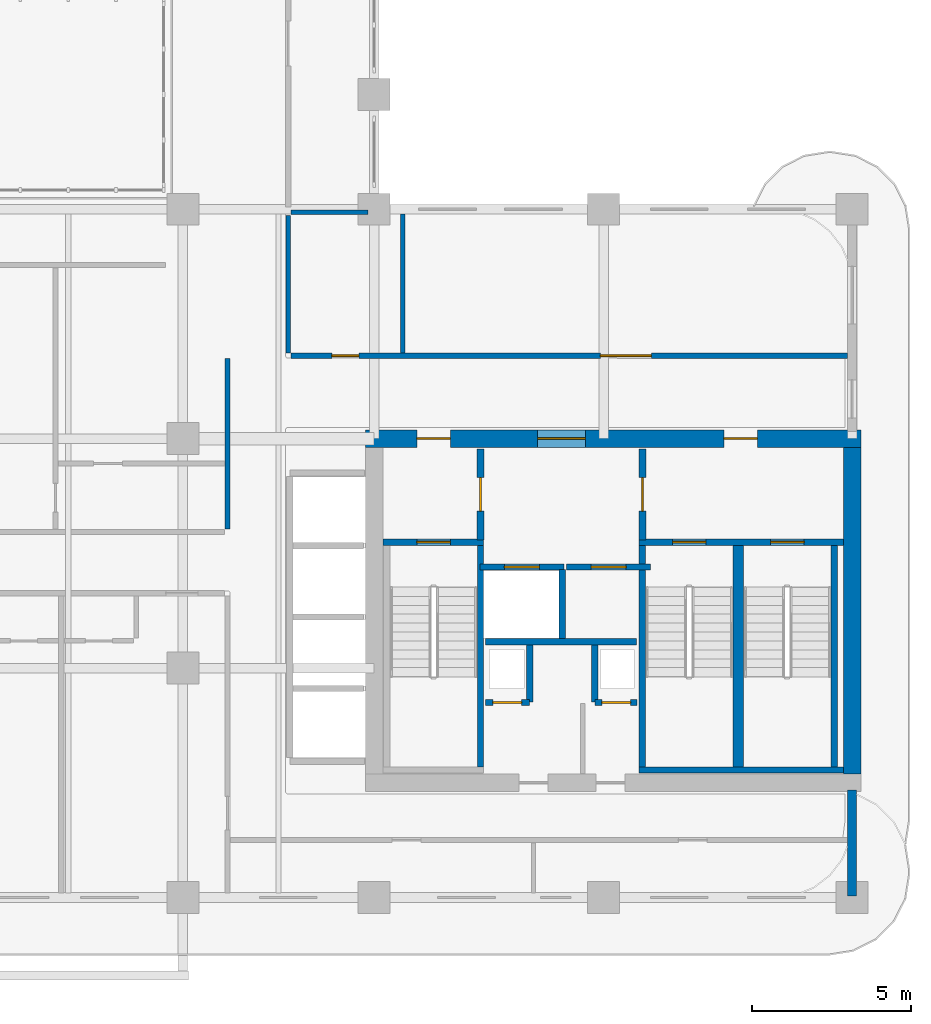
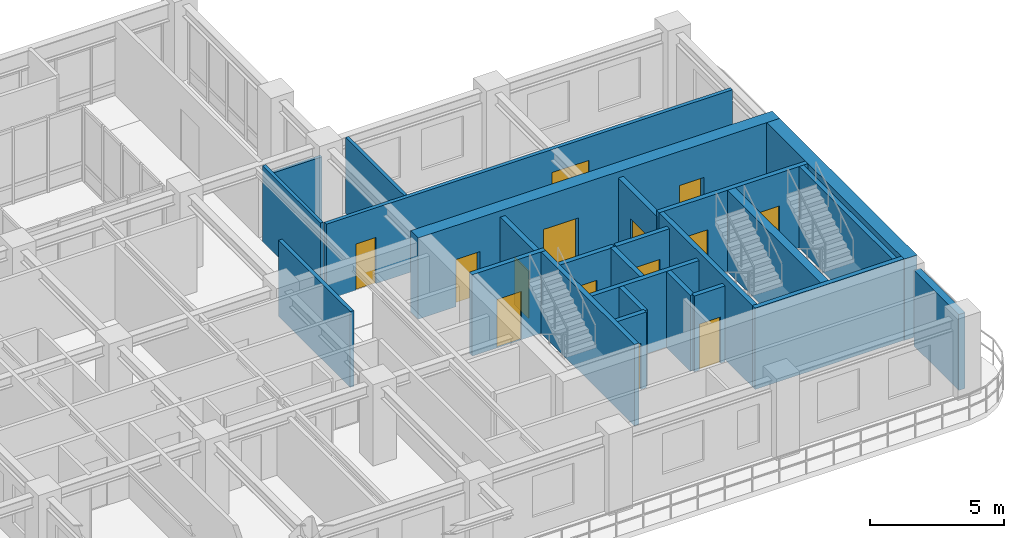
# One storey, part 13 of 19: 25 walls, 14 doors, 14 openings.
"""IFC4 building model written with IfcOpenShell, lengths in metres."""

from ifc_helpers import new_model, si_unit, derived_unit, direction, frame, frame_2d, origin, place, context, subcontext, project, spatial, rectangle, extrude, source, transform, mapped, material, layer, layer_set, type_object, type_shapes, element, fill, save


model = new_model("IFC4")

# Units and contexts
model_context = context("Model", 3, precision=1e-05, world=origin(), true_north=direction((0.0, 1.0)))
body_context = subcontext(model_context, "Body", "Model", "MODEL_VIEW")
ifc_project = project(units=[si_unit("LENGTHUNIT", "METRE"), si_unit("AREAUNIT", "SQUARE_METRE"), si_unit("VOLUMEUNIT", "CUBIC_METRE"), si_unit("PLANEANGLEUNIT", "RADIAN"), si_unit("MASSUNIT", "GRAM", prefix="KILO"), si_unit("THERMODYNAMICTEMPERATUREUNIT", "KELVIN"), si_unit("POWERUNIT", "WATT"), derived_unit("THERMALTRANSMITTANCEUNIT", [(si_unit("POWERUNIT", "WATT"), 1), (si_unit("AREAUNIT", "SQUARE_METRE"), -1), (si_unit("THERMODYNAMICTEMPERATUREUNIT", "KELVIN"), -1)])], contexts=[model_context])

# Site, building, storey
site_placement = place(None, origin())
site = spatial("IfcSite", under=ifc_project, at=site_placement, CompositionType="ELEMENT")
building_placement = place(site_placement, origin())
building = spatial("IfcBuilding", under=site, at=building_placement, Name="Zahravan Archway Hotel and Residences", CompositionType="ELEMENT")
storey_placement = place(building_placement, frame((0.0, 0.0, 134.0)))
storey = spatial("IfcBuildingStorey", under=building, at=storey_placement, Name="L33", CompositionType="ELEMENT", Elevation=134.0)

# Wall, openings, doors
ifc_material_1 = material(Name="Concrete C70/85", Category="concrete")
ifc_layer_1 = layer(ifc_material_1, 0.550048828125, Name="Concrete C70/85", Category="concrete")
ifc_layer_set_1 = layer_set([ifc_layer_1], Name="Concrete C70/85")
wall_type_1 = type_object("IfcWallType", Name="CW-CORE-550", PredefinedType="SHEAR", material=ifc_layer_set_1)
wall_1_placement = place(storey_placement, frame((34.52490234375, 14.39990234375, 0.0), z_axis=(0.0, 0.0, 1.0), x_axis=(1.0, 0.0, 0.0)))
wall_1 = element("IfcWall", 1, at=wall_1_placement, inside=storey, type_object=wall_type_1, Name="L33 Core A Shear N Wall 550 mm", PredefinedType="SHEAR", context=body_context, shape_type="SweptSolid", body=[
    extrude(rectangle(XDim=15.550048828125, YDim=0.550048828125, at=frame_2d((7.77490234375, 0.0))), origin(), (0.0, 0.0, 1.0), 3.699951171875),
])
opening_1_placement = place(wall_1_placement, frame((5.405029296875, 0.0, 0.0)))
opening_1 = element("IfcOpeningElement", 2, at=opening_1_placement, cuts=wall_1, Name="Opening FD-L1", PredefinedType="OPENING", context=body_context, shape_type="SweptSolid", body=[
    extrude(rectangle(XDim=1.5, YDim=2.199951171875, at=frame_2d((0.75, 1.10009765625))), frame((0.0, 0.28515625, 0.0), z_axis=(0.0, -1.0, 0.0), x_axis=(1.0, 0.0, 0.0)), (0.0, 0.0, 1.0), 0.570068359375),
])
opening_2_placement = place(wall_1_placement, frame((1.6201171875, 0.0, 0.0)))
opening_2 = element("IfcOpeningElement", 3, at=opening_2_placement, cuts=wall_1, Name="Opening FD-L2", PredefinedType="OPENING", context=body_context, shape_type="SweptSolid", body=[
    extrude(rectangle(XDim=1.050048828125, YDim=2.14990234375, at=frame_2d((0.52490234375, 1.074951171875))), frame((0.0, 0.28515625, 0.0), z_axis=(0.0, -1.0, 0.0), x_axis=(1.0, 0.0, 0.0)), (0.0, 0.0, 1.0), 0.570068359375),
])
opening_3_placement = place(wall_1_placement, frame((11.25, 0.0, 0.0)))
opening_3 = element("IfcOpeningElement", 4, at=opening_3_placement, cuts=wall_1, Name="Opening FD-L2", PredefinedType="OPENING", context=body_context, shape_type="SweptSolid", body=[
    extrude(rectangle(XDim=1.050048828125, YDim=2.14990234375, at=frame_2d((0.52490234375, 1.074951171875))), frame((0.0, 0.28515625, 0.0), z_axis=(0.0, -1.0, 0.0), x_axis=(1.0, 0.0, 0.0)), (0.0, 0.0, 1.0), 0.570068359375),
])
ifc_material_2 = material(Name="Fire-Rated Painted Steel", Category="steel")
door_type_1 = type_object("IfcDoorType", Name="FD-LOBBY-1100", OperationType="NOTDEFINED", PredefinedType="DOOR", material=ifc_material_2)
shared_shape_1 = source(origin(), body_context, "Body", "SweptSolid", [
    extrude(rectangle(XDim=1.050048828125, YDim=2.14990234375, at=frame_2d((0.52490234375, 1.074951171875))), frame((0.0, 0.02490234375, 0.0), z_axis=(0.0, -1.0, 0.0), x_axis=(1.0, 0.0, 0.0)), (0.0, 0.0, 1.0), 0.050048828125),
])
type_shapes(door_type_1, [shared_shape_1])
door_1_placement = place(opening_2_placement, origin())
door_1 = element("IfcDoor", 5, at=door_1_placement, inside=storey, type_object=door_type_1, Name="L33 Core A West Stair Lobby Door", OperationType="SINGLE_SWING_RIGHT", OverallHeight=2.14990234375, OverallWidth=1.050048828125, PredefinedType="DOOR", context=body_context, shape_type="MappedRepresentation", body=[
    mapped(shared_shape_1, transform((0.0, 0.0, 0.0), scale=1.0)),
])
fill(opening_2, door_1)
door_2_placement = place(opening_3_placement, origin())
door_2 = element("IfcDoor", 6, at=door_2_placement, inside=storey, type_object=door_type_1, Name="L33 Core A East Stair Lobby Door", OperationType="SINGLE_SWING_LEFT", OverallHeight=2.14990234375, OverallWidth=1.050048828125, PredefinedType="DOOR", context=body_context, shape_type="MappedRepresentation", body=[
    mapped(shared_shape_1, transform((0.0, 0.0, 0.0), scale=1.0)),
])
fill(opening_3, door_2)
door_type_2 = type_object("IfcDoorType", Name="FD-LOBBY-1500", OperationType="DOUBLE_DOOR_SINGLE_SWING", PredefinedType="DOOR", material=ifc_material_2)
shared_shape_2 = source(origin(), body_context, "Body", "SweptSolid", [
    extrude(rectangle(XDim=1.5, YDim=2.199951171875, at=frame_2d((0.75, 1.10009765625))), frame((0.0, 0.02490234375, 0.0), z_axis=(0.0, -1.0, 0.0), x_axis=(1.0, 0.0, 0.0)), (0.0, 0.0, 1.0), 0.050048828125),
])
type_shapes(door_type_2, [shared_shape_2])
door_3_placement = place(opening_1_placement, origin())
door_3 = element("IfcDoor", 7, at=door_3_placement, inside=storey, type_object=door_type_2, Name="L33 Core A FSAE Lobby Main Door", OperationType="DOUBLE_DOOR_SINGLE_SWING", OverallHeight=2.199951171875, OverallWidth=1.5, PredefinedType="DOOR", context=body_context, shape_type="MappedRepresentation", body=[
    mapped(shared_shape_2, transform((0.0, 0.0, 0.0), scale=1.0)),
])
fill(opening_1, door_3)

# Walls
wall_2_placement = place(storey_placement, frame((49.800048828125, 3.875, 0.0), z_axis=(0.0, 0.0, 1.0), x_axis=(0.0, 1.0, 0.0)))
element("IfcWall", 8, at=wall_2_placement, inside=storey, type_object=wall_type_1, Name="L33 Core A Shear E Wall 550 mm", PredefinedType="SHEAR", context=body_context, shape_type="SweptSolid", body=[
    extrude(rectangle(XDim=10.25, YDim=0.550048828125, at=frame_2d((5.125, 0.0))), origin(), (0.0, 0.0, 1.0), 3.699951171875),
])
ifc_material_3 = material(Name="Honed Red-Ochre Sandstone & Insulated Block", Category="masonry")
ifc_layer_2 = layer(ifc_material_3, 0.280029296875, Name="Honed Red-Ochre Sandstone & Insulated Block", Category="masonry")
ifc_layer_set_2 = layer_set([ifc_layer_2], Name="Honed Red-Ochre Sandstone & Insulated Block")
wall_type_2 = type_object("IfcWallType", Name="EW-LOG-280", PredefinedType="SOLIDWALL", material=ifc_layer_set_2)
wall_3_placement = place(storey_placement, frame((49.800048828125, 0.050048828125, 0.0), z_axis=(0.0, 0.0, 1.0), x_axis=(0.0, 1.0, 0.0)))
element("IfcWall", 9, at=wall_3_placement, inside=storey, type_object=wall_type_2, Name="L33 Exterior Sandstone Wall WA-ES", PredefinedType="SOLIDWALL", context=body_context, shape_type="SweptSolid", body=[
    extrude(rectangle(XDim=3.329833984375, YDim=0.280029296875, at=frame_2d((1.6650390625, 0.0))), origin(), (0.0, 0.0, 1.0), 3.449951171875),
])

# Wall, opening, door
ifc_material_4 = material(Name="Fire-Rated Gypsum & Concrete Block", Category="concrete")
ifc_layer_3 = layer(ifc_material_4, 0.219970703125, Name="Fire-Rated Gypsum & Concrete Block", Category="concrete")
ifc_layer_set_3 = layer_set([ifc_layer_3], Name="Fire-Rated Gypsum & Concrete Block")
wall_type_3 = type_object("IfcWallType", Name="PW-COMP-220", PredefinedType="PARTITIONING", material=ifc_layer_set_3)
wall_4_placement = place(storey_placement, frame((38.139892578125, 11.219970703125, 0.0), z_axis=(0.0, 0.0, 1.0), x_axis=(0.0, 1.0, 0.0)))
wall_4 = element("IfcWall", 10, at=wall_4_placement, inside=storey, type_object=wall_type_3, Name="L33 Partition CA-LOBW", PredefinedType="PARTITIONING", context=body_context, shape_type="SweptSolid", body=[
    extrude(rectangle(XDim=2.860107421875, YDim=0.219970703125, at=frame_2d((1.43017578125, 0.0))), origin(), (0.0, 0.0, 1.0), 3.449951171875),
])
opening_4_placement = place(wall_4_placement, frame((0.905029296875, 0.0, 0.0)))
opening_4 = element("IfcOpeningElement", 11, at=opening_4_placement, cuts=wall_4, Name="Opening FD-L2", PredefinedType="OPENING", context=body_context, shape_type="SweptSolid", body=[
    extrude(rectangle(XDim=1.050048828125, YDim=2.14990234375, at=frame_2d((0.52490234375, 1.074951171875))), frame((0.0, 0.1201171875, 0.0), z_axis=(0.0, -1.0, 0.0), x_axis=(1.0, 0.0, 0.0)), (0.0, 0.0, 1.0), 0.239990234375),
])
door_4_placement = place(opening_4_placement, origin())
door_4 = element("IfcDoor", 12, at=door_4_placement, inside=storey, type_object=door_type_1, Name="L33 Core A West Stair to FSAE Lobby Door", OperationType="SINGLE_SWING_RIGHT", OverallHeight=2.14990234375, OverallWidth=1.050048828125, PredefinedType="DOOR", context=body_context, shape_type="MappedRepresentation", body=[
    mapped(shared_shape_1, transform((0.0, 0.0, 0.0), scale=1.0)),
])
fill(opening_4, door_4)

wall_5_placement = place(storey_placement, frame((43.219970703125, 11.219970703125, 0.0), z_axis=(0.0, 0.0, 1.0), x_axis=(0.0, 1.0, 0.0)))
wall_5 = element("IfcWall", 13, at=wall_5_placement, inside=storey, type_object=wall_type_3, Name="L33 Partition CA-LOBE", PredefinedType="PARTITIONING", context=body_context, shape_type="SweptSolid", body=[
    extrude(rectangle(XDim=2.860107421875, YDim=0.219970703125, at=frame_2d((1.43017578125, 0.0))), origin(), (0.0, 0.0, 1.0), 3.449951171875),
])
opening_5_placement = place(wall_5_placement, frame((0.905029296875, 0.0, 0.0)))
opening_5 = element("IfcOpeningElement", 14, at=opening_5_placement, cuts=wall_5, Name="Opening FD-L2", PredefinedType="OPENING", context=body_context, shape_type="SweptSolid", body=[
    extrude(rectangle(XDim=1.050048828125, YDim=2.14990234375, at=frame_2d((0.52490234375, 1.074951171875))), frame((0.0, 0.1201171875, 0.0), z_axis=(0.0, -1.0, 0.0), x_axis=(1.0, 0.0, 0.0)), (0.0, 0.0, 1.0), 0.239990234375),
])
door_5_placement = place(opening_5_placement, origin())
door_5 = element("IfcDoor", 15, at=door_5_placement, inside=storey, type_object=door_type_1, Name="L33 Core A East Stair to FSAE Lobby Door", OperationType="SINGLE_SWING_LEFT", OverallHeight=2.14990234375, OverallWidth=1.050048828125, PredefinedType="DOOR", context=body_context, shape_type="MappedRepresentation", body=[
    mapped(shared_shape_1, transform((0.0, 0.0, 0.0), scale=1.0)),
])
fill(opening_5, door_5)

# Wall
ifc_layer_4 = layer(ifc_material_4, 0.159912109375, Name="Fire-Rated Gypsum & Concrete Block", Category="concrete")
ifc_layer_set_4 = layer_set([ifc_layer_4], Name="Fire-Rated Gypsum & Concrete Block")
wall_type_4 = type_object("IfcWallType", Name="PW-CORR-160", PredefinedType="PARTITIONING", material=ifc_layer_set_4)
wall_6_placement = place(storey_placement, frame((30.199951171875, 11.56005859375, 0.0), z_axis=(0.0, 0.0, 1.0), x_axis=(0.0, 1.0, 0.0)))
element("IfcWall", 16, at=wall_6_placement, inside=storey, type_object=wall_type_4, Name="L33 Partition WA-FW", PredefinedType="PARTITIONING", context=body_context, shape_type="SweptSolid", body=[
    extrude(rectangle(XDim=5.349853515625, YDim=0.159912109375, at=frame_2d((2.6748046875, 0.0))), origin(), (0.0, 0.0, 1.0), 3.449951171875),
])

# Wall, openings, doors
wall_7_placement = place(storey_placement, frame((32.18994140625, 17.0, 0.0), z_axis=(0.0, 0.0, 1.0), x_axis=(1.0, 0.0, 0.0)))
wall_7 = element("IfcWall", 17, at=wall_7_placement, inside=storey, type_object=wall_type_4, Name="L33 Partition WA-FN", PredefinedType="PARTITIONING", context=body_context, shape_type="SweptSolid", body=[
    extrude(rectangle(XDim=17.469970703125, YDim=0.159912109375, at=frame_2d((8.73486328125, 0.0))), origin(), (0.0, 0.0, 1.0), 3.449951171875),
])
opening_6_placement = place(wall_7_placement, frame((1.284912109375, 0.0, 0.0)))
opening_6 = element("IfcOpeningElement", 18, at=opening_6_placement, cuts=wall_7, Name="Opening D-B1", PredefinedType="OPENING", context=body_context, shape_type="SweptSolid", body=[
    extrude(rectangle(XDim=0.85009765625, YDim=2.10009765625, at=frame_2d((0.425048828125, 1.050048828125))), frame((0.0, 0.08984375, 0.0), z_axis=(0.0, -1.0, 0.0), x_axis=(1.0, 0.0, 0.0)), (0.0, 0.0, 1.0), 0.179931640625),
])
opening_7_placement = place(wall_7_placement, frame((9.7099609375, 0.0, 0.0)))
opening_7 = element("IfcOpeningElement", 19, at=opening_7_placement, cuts=wall_7, Name="Opening D-P2", PredefinedType="OPENING", context=body_context, shape_type="SweptSolid", body=[
    extrude(rectangle(XDim=1.60009765625, YDim=2.39990234375, at=frame_2d((0.800048828125, 1.199951171875))), frame((0.0, 0.08984375, 0.0), z_axis=(0.0, -1.0, 0.0), x_axis=(1.0, 0.0, 0.0)), (0.0, 0.0, 1.0), 0.179931640625),
])
ifc_material_5 = material(Name="Bronze-Anodized Glazed Aluminium", Category="aluminium")
door_type_3 = type_object("IfcDoorType", Name="ID-PUBLIC-1600", OperationType="DOUBLE_DOOR_SINGLE_SWING", PredefinedType="DOOR", material=ifc_material_5)
shared_shape_3 = source(origin(), body_context, "Body", "SweptSolid", [
    extrude(rectangle(XDim=1.60009765625, YDim=2.39990234375, at=frame_2d((0.800048828125, 1.199951171875))), frame((0.0, 0.02490234375, 0.0), z_axis=(0.0, -1.0, 0.0), x_axis=(1.0, 0.0, 0.0)), (0.0, 0.0, 1.0), 0.050048828125),
])
type_shapes(door_type_3, [shared_shape_3])
door_6_placement = place(opening_7_placement, origin())
door_6 = element("IfcDoor", 20, at=door_6_placement, inside=storey, type_object=door_type_3, Name="L33 North Fitness Gym Door", OperationType="DOUBLE_DOOR_SINGLE_SWING", OverallHeight=2.39990234375, OverallWidth=1.60009765625, PredefinedType="DOOR", context=body_context, shape_type="MappedRepresentation", body=[
    mapped(shared_shape_3, transform((0.0, 0.0, 0.0), scale=1.0)),
])
fill(opening_7, door_6)
ifc_material_6 = material(Name="Hardwood Veneer Timber", Category="wood")
door_type_4 = type_object("IfcDoorType", Name="ID-BATH-850", OperationType="NOTDEFINED", PredefinedType="DOOR", material=ifc_material_6)
shared_shape_4 = source(origin(), body_context, "Body", "SweptSolid", [
    extrude(rectangle(XDim=0.85009765625, YDim=2.10009765625, at=frame_2d((0.425048828125, 1.050048828125))), frame((0.0, 0.02490234375, 0.0), z_axis=(0.0, -1.0, 0.0), x_axis=(1.0, 0.0, 0.0)), (0.0, 0.0, 1.0), 0.050048828125),
])
type_shapes(door_type_4, [shared_shape_4])
door_7_placement = place(opening_6_placement, origin())
door_7 = element("IfcDoor", 21, at=door_7_placement, inside=storey, type_object=door_type_4, Name="L33 Accessible Restroom Door", OperationType="SINGLE_SWING_RIGHT", OverallHeight=2.10009765625, OverallWidth=0.85009765625, PredefinedType="DOOR", context=body_context, shape_type="MappedRepresentation", body=[
    mapped(shared_shape_4, transform((0.0, 0.0, 0.0), scale=1.0)),
])
fill(opening_6, door_7)

# Walls
ifc_layer_5 = layer(ifc_material_4, 0.199951171875, Name="Fire-Rated Gypsum & Concrete Block", Category="concrete")
ifc_layer_set_5 = layer_set([ifc_layer_5], Name="Fire-Rated Gypsum & Concrete Block")
wall_type_5 = type_object("IfcWallType", Name="PW-SHAFT-200", PredefinedType="PARTITIONING", material=ifc_layer_set_5)
wall_8_placement = place(storey_placement, frame((38.300048828125, 8.030029296875, 0.0), z_axis=(0.0, 0.0, 1.0), x_axis=(1.0, 0.0, 0.0)))
element("IfcWall", 22, at=wall_8_placement, inside=storey, type_object=wall_type_5, Name="L33 Partition CA-FLS", PredefinedType="PARTITIONING", context=body_context, shape_type="SweptSolid", body=[
    extrude(rectangle(XDim=4.739990234375, YDim=0.199951171875, at=frame_2d((2.3701171875, 0.0))), origin(), (0.0, 0.0, 1.0), 3.449951171875),
])
wall_9_placement = place(storey_placement, frame((40.699951171875, 8.1201171875, 0.0), z_axis=(0.0, 0.0, 1.0), x_axis=(0.0, 1.0, 0.0)))
element("IfcWall", 23, at=wall_9_placement, inside=storey, type_object=wall_type_5, Name="L33 Partition CA-FLM", PredefinedType="PARTITIONING", context=body_context, shape_type="SweptSolid", body=[
    extrude(rectangle(XDim=2.179931640625, YDim=0.199951171875, at=frame_2d((1.08984375, 0.0))), origin(), (0.0, 0.0, 1.0), 3.449951171875),
])

# Wall, opening, door
wall_10_placement = place(storey_placement, frame((38.2900390625, 6.1201171875, 0.0), z_axis=(0.0, 0.0, 1.0), x_axis=(1.0, 0.0, 0.0)))
wall_10 = element("IfcWall", 24, at=wall_10_placement, inside=storey, type_object=wall_type_5, Name="L33 Partition CA-SMKS", PredefinedType="PARTITIONING", context=body_context, shape_type="SweptSolid", body=[
    extrude(rectangle(XDim=1.3798828125, YDim=0.199951171875, at=frame_2d((0.68994140625, 0.0))), origin(), (0.0, 0.0, 1.0), 3.449951171875),
])
opening_8_placement = place(wall_10_placement, frame((0.239990234375, 0.0, 0.0)))
opening_8 = element("IfcOpeningElement", 25, at=opening_8_placement, cuts=wall_10, Name="Opening FD-R1", PredefinedType="OPENING", context=body_context, shape_type="SweptSolid", body=[
    extrude(rectangle(XDim=0.89990234375, YDim=2.10009765625, at=frame_2d((0.449951171875, 1.050048828125))), frame((0.0, 0.10986328125, 0.0), z_axis=(0.0, -1.0, 0.0), x_axis=(1.0, 0.0, 0.0)), (0.0, 0.0, 1.0), 0.219970703125),
])
door_type_5 = type_object("IfcDoorType", Name="FD-RISER-900", OperationType="NOTDEFINED", PredefinedType="DOOR", material=ifc_material_2)
shared_shape_5 = source(origin(), body_context, "Body", "SweptSolid", [
    extrude(rectangle(XDim=0.89990234375, YDim=2.10009765625, at=frame_2d((0.449951171875, 1.050048828125))), frame((0.0, 0.02490234375, 0.0), z_axis=(0.0, -1.0, 0.0), x_axis=(1.0, 0.0, 0.0)), (0.0, 0.0, 1.0), 0.050048828125),
])
type_shapes(door_type_5, [shared_shape_5])
door_8_placement = place(opening_8_placement, origin())
door_8 = element("IfcDoor", 26, at=door_8_placement, inside=storey, type_object=door_type_5, Name="L33 Smoke Riser Access Door", OperationType="SINGLE_SWING_RIGHT", OverallHeight=2.10009765625, OverallWidth=0.89990234375, PredefinedType="DOOR", context=body_context, shape_type="MappedRepresentation", body=[
    mapped(shared_shape_5, transform((0.0, 0.0, 0.0), scale=1.0)),
])
fill(opening_8, door_8)

# Wall
wall_11_placement = place(storey_placement, frame((39.679931640625, 6.1298828125, 0.0), z_axis=(0.0, 0.0, 1.0), x_axis=(0.0, 1.0, 0.0)))
element("IfcWall", 27, at=wall_11_placement, inside=storey, type_object=wall_type_5, Name="L33 Partition CA-SMKE", PredefinedType="PARTITIONING", context=body_context, shape_type="SweptSolid", body=[
    extrude(rectangle(XDim=1.7900390625, YDim=0.199951171875, at=frame_2d((0.89501953125, 0.0))), origin(), (0.0, 0.0, 1.0), 3.449951171875),
])

# Wall, opening, door
wall_12_placement = place(storey_placement, frame((41.72998046875, 6.1201171875, 0.0), z_axis=(0.0, 0.0, 1.0), x_axis=(1.0, 0.0, 0.0)))
wall_12 = element("IfcWall", 28, at=wall_12_placement, inside=storey, type_object=wall_type_5, Name="L33 Partition CA-MEPS", PredefinedType="PARTITIONING", context=body_context, shape_type="SweptSolid", body=[
    extrude(rectangle(XDim=1.320068359375, YDim=0.199951171875, at=frame_2d((0.66015625, 0.0))), origin(), (0.0, 0.0, 1.0), 3.449951171875),
])
opening_9_placement = place(wall_12_placement, frame((0.219970703125, 0.0, 0.0)))
opening_9 = element("IfcOpeningElement", 29, at=opening_9_placement, cuts=wall_12, Name="Opening FD-R1", PredefinedType="OPENING", context=body_context, shape_type="SweptSolid", body=[
    extrude(rectangle(XDim=0.89990234375, YDim=2.10009765625, at=frame_2d((0.449951171875, 1.050048828125))), frame((0.0, 0.10986328125, 0.0), z_axis=(0.0, -1.0, 0.0), x_axis=(1.0, 0.0, 0.0)), (0.0, 0.0, 1.0), 0.219970703125),
])
door_9_placement = place(opening_9_placement, origin())
door_9 = element("IfcDoor", 30, at=door_9_placement, inside=storey, type_object=door_type_5, Name="L33 MEP Riser Access Door", OperationType="SINGLE_SWING_LEFT", OverallHeight=2.10009765625, OverallWidth=0.89990234375, PredefinedType="DOOR", context=body_context, shape_type="MappedRepresentation", body=[
    mapped(shared_shape_5, transform((0.0, 0.0, 0.0), scale=1.0)),
])
fill(opening_9, door_9)

# Wall
wall_13_placement = place(storey_placement, frame((41.719970703125, 6.1298828125, 0.0), z_axis=(0.0, 0.0, 1.0), x_axis=(0.0, 1.0, 0.0)))
element("IfcWall", 31, at=wall_13_placement, inside=storey, type_object=wall_type_5, Name="L33 Partition CA-MEPW", PredefinedType="PARTITIONING", context=body_context, shape_type="SweptSolid", body=[
    extrude(rectangle(XDim=1.7900390625, YDim=0.199951171875, at=frame_2d((0.89501953125, 0.0))), origin(), (0.0, 0.0, 1.0), 3.449951171875),
])

# Wall, opening, door
wall_14_placement = place(storey_placement, frame((38.1201171875, 10.3701171875, 0.0), z_axis=(0.0, 0.0, 1.0), x_axis=(1.0, 0.0, 0.0)))
wall_14 = element("IfcWall", 32, at=wall_14_placement, inside=storey, type_object=wall_type_5, Name="L33 Lift FL-1 Front Wall", PredefinedType="PARTITIONING", context=body_context, shape_type="SweptSolid", body=[
    extrude(rectangle(XDim=2.639892578125, YDim=0.199951171875, at=frame_2d((1.31982421875, 0.0))), origin(), (0.0, 0.0, 1.0), 3.449951171875),
])
opening_10_placement = place(wall_14_placement, frame((0.77001953125, 0.0, 0.0)))
opening_10 = element("IfcOpeningElement", 33, at=opening_10_placement, cuts=wall_14, Name="Opening LD", PredefinedType="OPENING", context=body_context, shape_type="SweptSolid", body=[
    extrude(rectangle(XDim=1.10009765625, YDim=2.199951171875, at=frame_2d((0.550048828125, 1.10009765625))), frame((0.0, 0.10986328125, 0.0), z_axis=(0.0, -1.0, 0.0), x_axis=(1.0, 0.0, 0.0)), (0.0, 0.0, 1.0), 0.219970703125),
])
ifc_material_7 = material(Name="Brushed Stainless Steel", Category="steel")
door_type_6 = type_object("IfcDoorType", Name="DR-LIFT-LD", OperationType="SLIDING_TO_LEFT", PredefinedType="DOOR", material=ifc_material_7)
shared_shape_6 = source(origin(), body_context, "Body", "SweptSolid", [
    extrude(rectangle(XDim=1.10009765625, YDim=2.199951171875, at=frame_2d((0.550048828125, 1.10009765625))), frame((0.0, 0.02490234375, 0.0), z_axis=(0.0, -1.0, 0.0), x_axis=(1.0, 0.0, 0.0)), (0.0, 0.0, 1.0), 0.050048828125),
])
type_shapes(door_type_6, [shared_shape_6])
door_10_placement = place(opening_10_placement, origin())
door_10 = element("IfcDoor", 34, at=door_10_placement, inside=storey, type_object=door_type_6, Name="L33 Lift FL-1 Sliding Landing Door", OperationType="SLIDING_TO_LEFT", OverallHeight=2.199951171875, OverallWidth=1.10009765625, PredefinedType="DOOR", context=body_context, shape_type="MappedRepresentation", body=[
    mapped(shared_shape_6, transform((0.0, 0.0, 0.0), scale=1.0)),
])
fill(opening_10, door_10)

wall_15_placement = place(storey_placement, frame((40.840087890625, 10.3701171875, 0.0), z_axis=(0.0, 0.0, 1.0), x_axis=(1.0, 0.0, 0.0)))
wall_15 = element("IfcWall", 35, at=wall_15_placement, inside=storey, type_object=wall_type_5, Name="L33 Lift FL-2 Front Wall", PredefinedType="PARTITIONING", context=body_context, shape_type="SweptSolid", body=[
    extrude(rectangle(XDim=2.639892578125, YDim=0.199951171875, at=frame_2d((1.31982421875, 0.0))), origin(), (0.0, 0.0, 1.0), 3.449951171875),
])
opening_11_placement = place(wall_15_placement, frame((0.77001953125, 0.0, 0.0)))
opening_11 = element("IfcOpeningElement", 36, at=opening_11_placement, cuts=wall_15, Name="Opening LD", PredefinedType="OPENING", context=body_context, shape_type="SweptSolid", body=[
    extrude(rectangle(XDim=1.10009765625, YDim=2.199951171875, at=frame_2d((0.550048828125, 1.10009765625))), frame((0.0, 0.10986328125, 0.0), z_axis=(0.0, -1.0, 0.0), x_axis=(1.0, 0.0, 0.0)), (0.0, 0.0, 1.0), 0.219970703125),
])
door_11_placement = place(opening_11_placement, origin())
door_11 = element("IfcDoor", 37, at=door_11_placement, inside=storey, type_object=door_type_6, Name="L33 Lift FL-2 Sliding Landing Door", OperationType="SLIDING_TO_LEFT", OverallHeight=2.199951171875, OverallWidth=1.10009765625, PredefinedType="DOOR", context=body_context, shape_type="MappedRepresentation", body=[
    mapped(shared_shape_6, transform((0.0, 0.0, 0.0), scale=1.0)),
])
fill(opening_11, door_11)

# Walls
ifc_material_8 = material(Name="Moisture-Resistant Blockwork", Category="masonry")
ifc_layer_6 = layer(ifc_material_8, 0.139892578125, Name="Moisture-Resistant Blockwork", Category="masonry")
ifc_layer_set_6 = layer_set([ifc_layer_6], Name="Moisture-Resistant Blockwork")
wall_type_6 = type_object("IfcWallType", Name="PW-WET-140", PredefinedType="PARTITIONING", material=ifc_layer_set_6)
wall_16_placement = place(storey_placement, frame((32.10009765625, 17.090087890625, 0.0), z_axis=(0.0, 0.0, 1.0), x_axis=(0.0, 1.0, 0.0)))
element("IfcWall", 38, at=wall_16_placement, inside=storey, type_object=wall_type_6, Name="L33 Partition NE-W0", PredefinedType="PARTITIONING", context=body_context, shape_type="SweptSolid", body=[
    extrude(rectangle(XDim=4.31982421875, YDim=0.139892578125, at=frame_2d((2.159912109375, 0.0))), origin(), (0.0, 0.0, 1.0), 3.449951171875),
])
wall_17_placement = place(storey_placement, frame((35.699951171875, 17.090087890625, 0.0), z_axis=(0.0, 0.0, 1.0), x_axis=(0.0, 1.0, 0.0)))
element("IfcWall", 39, at=wall_17_placement, inside=storey, type_object=wall_type_6, Name="L33 Partition NE1-1", PredefinedType="PARTITIONING", context=body_context, shape_type="SweptSolid", body=[
    extrude(rectangle(XDim=4.36181640625, YDim=0.139892578125, at=frame_2d((2.180908203125, 0.0))), origin(), (0.0, 0.0, 1.0), 3.449951171875),
])
wall_18_placement = place(storey_placement, frame((32.18994140625, 21.5, 0.0), z_axis=(0.0, 0.0, 1.0), x_axis=(1.0, 0.0, 0.0)))
element("IfcWall", 40, at=wall_18_placement, inside=storey, type_object=wall_type_6, Name="L33 Partition ATR-ES", PredefinedType="PARTITIONING", context=body_context, shape_type="SweptSolid", body=[
    extrude(rectangle(XDim=2.420166015625, YDim=0.139892578125, at=frame_2d((1.2099609375, 0.0))), origin(), (0.0, 0.0, 1.0), 2.93505859375),
])
ifc_material_9 = material(Name="Concrete C50/60", Category="concrete")
ifc_layer_7 = layer(ifc_material_9, 0.199951171875, Name="Concrete C50/60", Category="concrete")
ifc_layer_set_7 = layer_set([ifc_layer_7], Name="Concrete C50/60")
wall_type_7 = type_object("IfcWallType", Name="SW-STAIR-200", PredefinedType="SHEAR", material=ifc_layer_set_7)
wall_19_placement = place(storey_placement, frame((38.139892578125, 4.10009765625, 0.0), z_axis=(0.0, 0.0, 1.0), x_axis=(0.0, 1.0, 0.0)))
element("IfcWall", 41, at=wall_19_placement, inside=storey, type_object=wall_type_7, Name="L33 Stairwell RC Wall CA-SA1E", PredefinedType="SHEAR", context=body_context, shape_type="SweptSolid", body=[
    extrude(rectangle(XDim=6.949951171875, YDim=0.199951171875, at=frame_2d((3.47509765625, 0.0))), origin(), (0.0, 0.0, 1.0), 3.699951171875),
])

# Wall, opening, door
wall_20_placement = place(storey_placement, frame((35.074951171875, 11.14990234375, 0.0), z_axis=(0.0, 0.0, 1.0), x_axis=(1.0, 0.0, 0.0)))
wall_20 = element("IfcWall", 42, at=wall_20_placement, inside=storey, type_object=wall_type_7, Name="L33 Stairwell RC Wall CA-SA1N", PredefinedType="SHEAR", context=body_context, shape_type="SweptSolid", body=[
    extrude(rectangle(XDim=3.1650390625, YDim=0.199951171875, at=frame_2d((1.58251953125, 0.0))), origin(), (0.0, 0.0, 1.0), 3.699951171875),
])
opening_12_placement = place(wall_20_placement, frame((1.070068359375, 0.0, 0.0)))
opening_12 = element("IfcOpeningElement", 43, at=opening_12_placement, cuts=wall_20, Name="Opening FD-S1", PredefinedType="OPENING", context=body_context, shape_type="SweptSolid", body=[
    extrude(rectangle(XDim=1.050048828125, YDim=2.199951171875, at=frame_2d((0.52490234375, 1.10009765625))), frame((0.0, 0.10986328125, 0.0), z_axis=(0.0, -1.0, 0.0), x_axis=(1.0, 0.0, 0.0)), (0.0, 0.0, 1.0), 0.219970703125),
])
door_type_7 = type_object("IfcDoorType", Name="FD-STAIR-1100", OperationType="NOTDEFINED", PredefinedType="DOOR", material=ifc_material_2)
shared_shape_7 = source(origin(), body_context, "Body", "SweptSolid", [
    extrude(rectangle(XDim=1.050048828125, YDim=2.199951171875, at=frame_2d((0.52490234375, 1.10009765625))), frame((0.0, 0.02490234375, 0.0), z_axis=(0.0, -1.0, 0.0), x_axis=(1.0, 0.0, 0.0)), (0.0, 0.0, 1.0), 0.050048828125),
])
type_shapes(door_type_7, [shared_shape_7])
door_12_placement = place(opening_12_placement, origin())
door_12 = element("IfcDoor", 44, at=door_12_placement, inside=storey, type_object=door_type_7, Name="L33 Stair ST-A1 Door", OperationType="SINGLE_SWING_LEFT", OverallHeight=2.199951171875, OverallWidth=1.050048828125, PredefinedType="DOOR", context=body_context, shape_type="MappedRepresentation", body=[
    mapped(shared_shape_7, transform((0.0, 0.0, 0.0), scale=1.0)),
])
fill(opening_12, door_12)

# Walls
wall_21_placement = place(storey_placement, frame((43.1201171875, 4.0, 0.0), z_axis=(0.0, 0.0, 1.0), x_axis=(1.0, 0.0, 0.0)))
element("IfcWall", 45, at=wall_21_placement, inside=storey, type_object=wall_type_7, Name="L33 Stairwell RC Wall CA-SA23S", PredefinedType="SHEAR", context=body_context, shape_type="SweptSolid", body=[
    extrude(rectangle(XDim=6.40478515625, YDim=0.199951171875, at=frame_2d((3.202392578125, 0.0))), origin(), (0.0, 0.0, 1.0), 3.699951171875),
])
for number, where, z_axis, x_axis, name in (
    (46, (43.219970703125, 4.10009765625, 0.0), (0.0, 0.0, 1.0), (0.0, 1.0, 0.0), "L33 Stairwell RC Wall CA-SA2W"),
    (47, (49.239990234375, 4.10009765625, 0.0), (0.0, 0.0, 1.0), (0.0, 1.0, 0.0), "L33 Stairwell RC Wall CA-SA3E"),
):
    element("IfcWall", number, at=place(storey_placement, frame(where, z_axis=z_axis, x_axis=x_axis)), inside=storey, type_object=wall_type_7, Name=name, PredefinedType="SHEAR", context=body_context, shape_type="SweptSolid", body=[
        extrude(rectangle(XDim=6.949951171875, YDim=0.199951171875, at=frame_2d((3.47509765625, 0.0))), origin(), (0.0, 0.0, 1.0), 3.699951171875),
    ])

# Wall, openings, doors
wall_22_placement = place(storey_placement, frame((43.1201171875, 11.14990234375, 0.0), z_axis=(0.0, 0.0, 1.0), x_axis=(1.0, 0.0, 0.0)))
wall_22 = element("IfcWall", 48, at=wall_22_placement, inside=storey, type_object=wall_type_7, Name="L33 Stairwell RC Wall CA-SA23N", PredefinedType="SHEAR", context=body_context, shape_type="SweptSolid", body=[
    extrude(rectangle(XDim=6.40478515625, YDim=0.199951171875, at=frame_2d((3.202392578125, 0.0))), origin(), (0.0, 0.0, 1.0), 3.699951171875),
])
opening_13_placement = place(wall_22_placement, frame((1.044921875, 0.0, 0.0)))
opening_13 = element("IfcOpeningElement", 49, at=opening_13_placement, cuts=wall_22, Name="Opening FD-S1", PredefinedType="OPENING", context=body_context, shape_type="SweptSolid", body=[
    extrude(rectangle(XDim=1.050048828125, YDim=2.199951171875, at=frame_2d((0.52490234375, 1.10009765625))), frame((0.0, 0.10986328125, 0.0), z_axis=(0.0, -1.0, 0.0), x_axis=(1.0, 0.0, 0.0)), (0.0, 0.0, 1.0), 0.219970703125),
])
opening_14_placement = place(wall_22_placement, frame((4.125, 0.0, 0.0)))
opening_14 = element("IfcOpeningElement", 50, at=opening_14_placement, cuts=wall_22, Name="Opening FD-S1", PredefinedType="OPENING", context=body_context, shape_type="SweptSolid", body=[
    extrude(rectangle(XDim=1.050048828125, YDim=2.199951171875, at=frame_2d((0.52490234375, 1.10009765625))), frame((0.0, 0.10986328125, 0.0), z_axis=(0.0, -1.0, 0.0), x_axis=(1.0, 0.0, 0.0)), (0.0, 0.0, 1.0), 0.219970703125),
])
door_13_placement = place(opening_13_placement, origin())
door_13 = element("IfcDoor", 51, at=door_13_placement, inside=storey, type_object=door_type_7, Name="L33 Stair ST-A2 Door", OperationType="SINGLE_SWING_RIGHT", OverallHeight=2.199951171875, OverallWidth=1.050048828125, PredefinedType="DOOR", context=body_context, shape_type="MappedRepresentation", body=[
    mapped(shared_shape_7, transform((0.0, 0.0, 0.0), scale=1.0)),
])
fill(opening_13, door_13)
door_14_placement = place(opening_14_placement, origin())
door_14 = element("IfcDoor", 52, at=door_14_placement, inside=storey, type_object=door_type_7, Name="L33 Stair ST-A3 Door", OperationType="SINGLE_SWING_LEFT", OverallHeight=2.199951171875, OverallWidth=1.050048828125, PredefinedType="DOOR", context=body_context, shape_type="MappedRepresentation", body=[
    mapped(shared_shape_7, transform((0.0, 0.0, 0.0), scale=1.0)),
])
fill(opening_14, door_14)

# Wall
ifc_layer_8 = layer(ifc_material_9, 0.340087890625, Name="Concrete C50/60", Category="concrete")
ifc_layer_set_8 = layer_set([ifc_layer_8], Name="Concrete C50/60")
wall_type_8 = type_object("IfcWallType", Name="SW-STAIR-340", PredefinedType="SHEAR", material=ifc_layer_set_8)
wall_23_placement = place(storey_placement, frame((46.22998046875, 4.10009765625, 0.0), z_axis=(0.0, 0.0, 1.0), x_axis=(0.0, 1.0, 0.0)))
element("IfcWall", 53, at=wall_23_placement, inside=storey, type_object=wall_type_8, Name="L33 Stairwell RC Wall CA-SA23M", PredefinedType="SHEAR", context=body_context, shape_type="SweptSolid", body=[
    extrude(rectangle(XDim=6.949951171875, YDim=0.340087890625, at=frame_2d((3.47509765625, 0.0))), origin(), (0.0, 0.0, 1.0), 3.699951171875),
])

save(model, "model.ifc")
